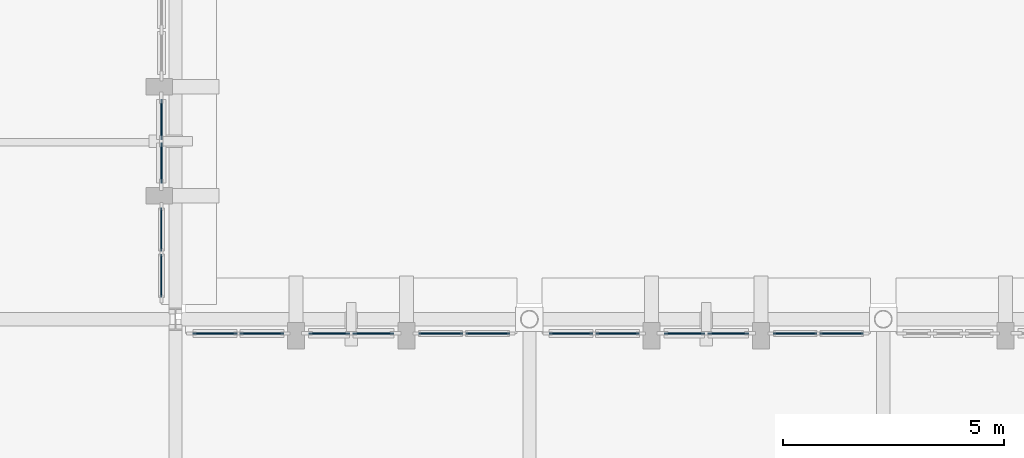
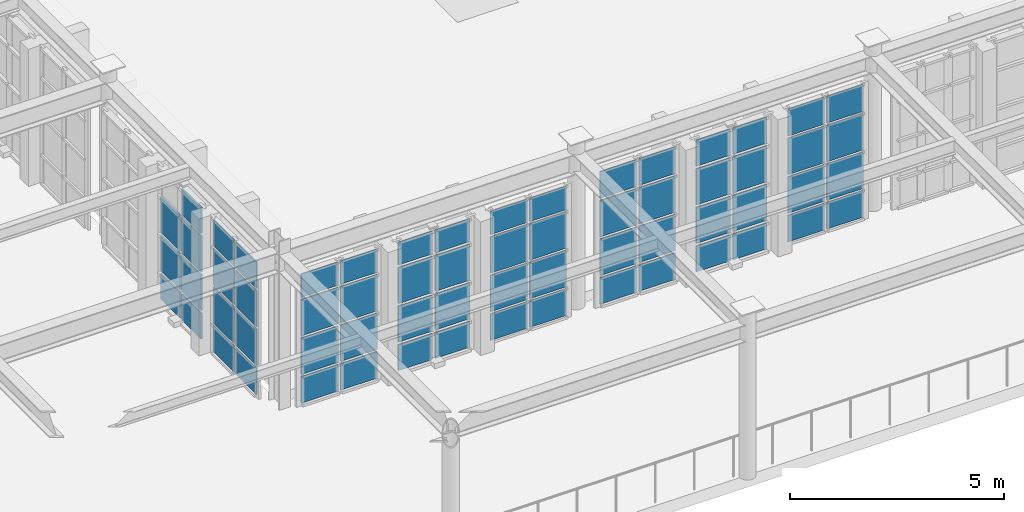
# One storey, part 116 of 155: 63 plates, 8 elements without a shape of their own.
"""IFC4 building model written with IfcOpenShell, lengths in metres."""

import ifcopenshell
import ifcopenshell.guid

model = None  # the IFC model being written
_history = None  # IfcOwnerHistory: only IFC2X3 demands one
_inside = {}  # id of a spatial element -> (the spatial element, [elements in it])
_under = {}  # id of a project, library or spatial element -> (it, [spatial elements below it])
_declared = {}  # id of a project -> (the project, [libraries it declares])
_typed = {}  # id of a type object -> (the type object, [elements of that type])
_made_of = {}  # id of a material, layer set ... -> (it, [elements and type objects made of it])


def new_model(schema):
    """Start an empty IFC model of exactly this schema.

    Asked for "IFC4X3", IfcOpenShell would pick the latest addendum, in which some entities
    have other attributes; the version numbers below select the first issue.
    IFC2X3 requires an IfcOwnerHistory on every rooted entity: one is made here for all.
    """
    global model, _history
    if schema == "IFC4X3":
        model = ifcopenshell.file(schema_version=(4, 3, 0, 0))
    else:
        model = ifcopenshell.file(schema=schema)
    _inside.clear()
    _under.clear()
    _declared.clear()
    _typed.clear()
    _made_of.clear()
    _history = None
    if model.schema == "IFC2X3":
        org = make("IfcOrganization", Name="unknown")
        user = make(
            "IfcPersonAndOrganization",
            ThePerson=make("IfcPerson", FamilyName="unknown"),
            TheOrganization=org,
        )
        app = make(
            "IfcApplication",
            ApplicationDeveloper=org,
            Version="unknown",
            ApplicationFullName="unknown",
            ApplicationIdentifier="unknown",
        )
        _history = make(
            "IfcOwnerHistory",
            OwningUser=user,
            OwningApplication=app,
            ChangeAction="ADDED",
            CreationDate=0,
        )
    return model


def make(cls, **values):
    """One entity of the class cls with the attributes given. An attribute that is None is left unset."""
    return model.create_entity(
        cls, **{name: value for name, value in values.items() if value is not None}
    )


def rooted(cls, **values):
    """An entity with a GlobalId (a new one), such as an element, a storey or a relation."""
    return make(cls, GlobalId=ifcopenshell.guid.new(), OwnerHistory=_history, **values)


def si_unit(unit_type, name, prefix=None):
    """IfcSIUnit, for example si_unit("LENGTHUNIT", "METRE", prefix="MILLI")."""
    return make("IfcSIUnit", UnitType=unit_type, Prefix=prefix, Name=name)


def assignment(units):
    """IfcUnitAssignment: the units of a project."""
    return None if units is None else make("IfcUnitAssignment", Units=units)


def point(xyz):
    """IfcCartesianPoint."""
    return None if xyz is None else make("IfcCartesianPoint", Coordinates=xyz)


def direction(xyz):
    """IfcDirection."""
    return None if xyz is None else make("IfcDirection", DirectionRatios=xyz)


def frame(location, z_axis=None, x_axis=None):
    """IfcAxis2Placement3D, a coordinate frame: its origin and axes. An axis left out is left unset."""
    return make(
        "IfcAxis2Placement3D",
        Location=point(location),
        Axis=direction(z_axis),
        RefDirection=direction(x_axis),
    )


def frame_2d(location, x_axis=None):
    """IfcAxis2Placement2D, a coordinate frame in the plane: its origin and x axis."""
    return make(
        "IfcAxis2Placement2D", Location=point(location), RefDirection=direction(x_axis)
    )


def origin():
    """The frame at (0, 0, 0) with its axes left unset."""
    return frame((0.0, 0.0, 0.0))


def origin_2d():
    """The frame at (0, 0) in the plane with its x axis left unset."""
    return frame_2d((0.0, 0.0))


def place(relative_to, where):
    """IfcLocalPlacement: puts the frame where relative to a parent placement (None: the world)."""
    return make(
        "IfcLocalPlacement", PlacementRelTo=relative_to, RelativePlacement=where
    )


def context(
    kind, dimensions, precision=None, world=None, true_north=None, identifier=None
):
    """IfcGeometricRepresentationContext, for example the 3D "Model" context."""
    return make(
        "IfcGeometricRepresentationContext",
        ContextIdentifier=identifier,
        ContextType=kind,
        CoordinateSpaceDimension=dimensions,
        Precision=precision,
        WorldCoordinateSystem=world,
        TrueNorth=true_north,
    )


def subcontext(parent, identifier, kind, view, scale=None):
    """IfcGeometricRepresentationSubContext, for example "Body" below "Model"."""
    return make(
        "IfcGeometricRepresentationSubContext",
        ContextIdentifier=identifier,
        ContextType=kind,
        ParentContext=parent,
        TargetScale=scale,
        TargetView=view,
    )


def project(units=None, contexts=None):
    """IfcProject with its units and contexts."""
    return rooted(
        "IfcProject",
        Name="project",
        RepresentationContexts=contexts,
        UnitsInContext=assignment(units),
    )


def spatial(cls, under=None, at=None, **own):
    """A site, building, storey or space (cls), placed at a placement, below another one or the project."""
    s = rooted(cls, ObjectPlacement=at, **own)
    if under is not None:
        _under.setdefault(under.id(), (under, []))[1].append(s)
    return s


def profile(cls, at=None, kind="AREA", **sizes):
    """A parametric profile (cls). Its sizes go by their IFC names, for example OverallWidth=200.0."""
    return make(cls, ProfileType=kind, Position=at, **sizes)


def rectangle(**sizes):
    """IfcRectangleProfileDef."""
    return profile("IfcRectangleProfileDef", **sizes)


def extrude(swept, where, along, depth):
    """IfcExtrudedAreaSolid: the profile swept, set in the frame where, extruded along a direction by depth."""
    return make(
        "IfcExtrudedAreaSolid",
        SweptArea=swept,
        Position=where,
        ExtrudedDirection=direction(along),
        Depth=depth,
    )


def shape(context_of_items, identifier, shape_type, items):
    """IfcShapeRepresentation: the items that make up one representation, for example the "Body"."""
    return make(
        "IfcShapeRepresentation",
        ContextOfItems=context_of_items,
        RepresentationIdentifier=identifier,
        RepresentationType=shape_type,
        Items=items,
    )


def material(Name=None, Category=None):
    """IfcMaterial."""
    return make("IfcMaterial", Name=Name, Category=Category)


def layer(
    of_material, thickness, ventilated=None, Name=None, Category=None, Priority=None
):
    """IfcMaterialLayer: one layer of a wall or slab, of a material (None: an air gap)."""
    return make(
        "IfcMaterialLayer",
        Material=of_material,
        LayerThickness=thickness,
        IsVentilated=ventilated,
        Name=Name,
        Category=Category,
        Priority=Priority,
    )


def layer_set(layers, Name=None):
    """IfcMaterialLayerSet."""
    return make("IfcMaterialLayerSet", MaterialLayers=layers, LayerSetName=Name)


def made_of(thing, what):
    """Note that an element or type object is made of a material, layer set ...; save() writes the relation."""
    if what is not None:
        _made_of.setdefault(what.id(), (what, []))[1].append(thing)
    return thing


def type_object(cls, material=None, **own):
    """A type object (cls), such as IfcWallType, which elements share."""
    return made_of(rooted(cls, **own), material)


def element(
    cls,
    number,
    at=None,
    inside=None,
    cuts=None,
    type_object=None,
    material=None,
    context=None,
    identifier="Body",
    shape_type=None,
    held_by="IfcProductDefinitionShape",
    body=None,
    shapes=None,
    **own,
):
    """One element of the class cls, such as IfcWall. Its Tag is "e" and its number.

    at: its placement. inside: the storey or other place that contains it. cuts: it is an
    opening in that element (IfcRelVoidsElement). A single representation is given by context,
    identifier, shape_type and body (its items); several are given by shapes. held_by: the class
    of the entity that holds the representations. save() writes the other relations.
    """
    e = rooted(cls, Tag="e%d" % number, ObjectPlacement=at, **own)
    if body is not None:
        shapes = [shape(context, identifier, shape_type, body)]
    if shapes is not None:
        e.Representation = make(held_by, Representations=shapes)
    if inside is not None:
        _inside.setdefault(inside.id(), (inside, []))[1].append(e)
    if cuts is not None:
        rooted(
            "IfcRelVoidsElement", RelatingBuildingElement=cuts, RelatedOpeningElement=e
        )
    if type_object is not None:
        _typed.setdefault(type_object.id(), (type_object, []))[1].append(e)
    return made_of(e, material)


def aggregate(whole, parts):
    """IfcRelAggregates: a whole, such as a stair, and the parts it consists of."""
    return rooted("IfcRelAggregates", RelatingObject=whole, RelatedObjects=parts)


def save(model, path):
    """Write the relations noted so far, then the file.

    IfcRelAggregates (storeys below a building ...), IfcRelContainedInSpatialStructure (elements
    in a storey), IfcRelDefinesByType, IfcRelAssociatesMaterial and IfcRelDeclares: one each for
    every whole, place, type object, material and project.
    """
    for whole, parts in _under.values():
        aggregate(whole, parts)
    for where, things in _inside.values():
        rooted(
            "IfcRelContainedInSpatialStructure",
            RelatedElements=things,
            RelatingStructure=where,
        )
    for kind, things in _typed.values():
        rooted("IfcRelDefinesByType", RelatedObjects=things, RelatingType=kind)
    for what, things in _made_of.values():
        rooted("IfcRelAssociatesMaterial", RelatedObjects=things, RelatingMaterial=what)
    for by, libraries in _declared.values():
        rooted("IfcRelDeclares", RelatingContext=by, RelatedDefinitions=libraries)
    model.write(path)


model = new_model("IFC4")

# Units and contexts
model_context = context("Model", 3, precision=1e-05, world=origin(), true_north=direction((0.0, 1.0)))
body_context = subcontext(model_context, "Body", "Model", "MODEL_VIEW")
ifc_project = project(units=[si_unit("LENGTHUNIT", "METRE"), si_unit("AREAUNIT", "SQUARE_METRE"), si_unit("VOLUMEUNIT", "CUBIC_METRE"), si_unit("PLANEANGLEUNIT", "RADIAN"), si_unit("MASSUNIT", "GRAM", prefix="KILO")], contexts=[model_context])

# Site, building, storey
site_placement = place(None, origin())
site = spatial("IfcSite", under=ifc_project, at=site_placement, CompositionType="ELEMENT")
building_placement = place(site_placement, origin())
building = spatial("IfcBuilding", under=site, at=building_placement, Name="Tazarka Park Arena", CompositionType="ELEMENT")
storey_placement = place(building_placement, frame((0.0, 0.0, 5.39990234375)))
storey = spatial("IfcBuildingStorey", under=building, at=storey_placement, Name="L01", CompositionType="ELEMENT", Elevation=5.39990234375)

# Curtain wall, plates
ifc_material_1 = material(Name="Aluminium and low-e glass", Category="aluminium")
ifc_layer_1 = layer(ifc_material_1, 0.179931640625, Name="Aluminium and low-e glass")
ifc_layer_set_1 = layer_set([ifc_layer_1], Name="Aluminium and low-e glass")
curtain_wall_type_1 = type_object("IfcCurtainWallType", Name="CW-15", PredefinedType="NOTDEFINED", material=ifc_layer_set_1)
curtain_wall_1_placement = place(storey_placement, origin())
curtain_wall_1 = element("IfcCurtainWall", 1, at=curtain_wall_1_placement, inside=storey, type_object=curtain_wall_type_1, Name="Curtain Wall CWA-L01-195", PredefinedType="NOTDEFINED")
ifc_material_2 = material(Name="Double low-e insulated glazing", Category="glass")
ifc_layer_2 = layer(ifc_material_2, 0.028076171875, Name="Double low-e insulated glazing")
ifc_layer_set_2 = layer_set([ifc_layer_2], Name="Double low-e insulated glazing")
plate_type_1 = type_object("IfcPlateType", Name="CWP-01", PredefinedType="CURTAIN_PANEL", material=ifc_layer_set_2)
plate_1_placement = place(storey_placement, frame((174.007080078125, 103.679931640625, 0.065185546875), z_axis=(0.0, 0.0, 1.0), x_axis=(1.0, 0.0, 0.0)))
plate_1 = element("IfcPlate", 2, at=plate_1_placement, type_object=plate_type_1, Name="CW-15 panel 1.1", PredefinedType="CURTAIN_PANEL", context=body_context, shape_type="SweptSolid", body=[
    extrude(rectangle(XDim=0.986328125, YDim=0.028076171875, at=origin_2d()), origin(), (0.0, 0.0, 1.0), 0.75244140625),
])
plate_2_placement = place(storey_placement, frame((174.007080078125, 103.679931640625, 0.8828125), z_axis=(0.0, 0.0, 1.0), x_axis=(1.0, 0.0, 0.0)))
plate_2 = element("IfcPlate", 3, at=plate_2_placement, type_object=plate_type_1, Name="CW-15 panel 1.2", PredefinedType="CURTAIN_PANEL", context=body_context, shape_type="SweptSolid", body=[
    extrude(rectangle(XDim=0.986328125, YDim=0.028076171875, at=origin_2d()), origin(), (0.0, 0.0, 1.0), 1.034912109375),
])
plate_3_placement = place(storey_placement, frame((174.007080078125, 103.679931640625, 1.982421875), z_axis=(0.0, 0.0, 1.0), x_axis=(1.0, 0.0, 0.0)))
plate_3 = element("IfcPlate", 4, at=plate_3_placement, type_object=plate_type_1, Name="CW-15 panel 1.3", PredefinedType="CURTAIN_PANEL", context=body_context, shape_type="SweptSolid", body=[
    extrude(rectangle(XDim=0.986328125, YDim=0.028076171875, at=origin_2d()), origin(), (0.0, 0.0, 1.0), 1.034912109375),
])
plate_4_placement = place(storey_placement, frame((174.007080078125, 103.679931640625, 3.08251953125), z_axis=(0.0, 0.0, 1.0), x_axis=(1.0, 0.0, 0.0)))
plate_4 = element("IfcPlate", 5, at=plate_4_placement, type_object=plate_type_1, Name="CW-15 panel 1.4", PredefinedType="CURTAIN_PANEL", context=body_context, shape_type="SweptSolid", body=[
    extrude(rectangle(XDim=0.986328125, YDim=0.028076171875, at=origin_2d()), origin(), (0.0, 0.0, 1.0), 0.762451171875),
])
plate_5_placement = place(storey_placement, frame((175.05859375, 103.679931640625, 0.065185546875), z_axis=(0.0, 0.0, 1.0), x_axis=(1.0, 0.0, 0.0)))
plate_5 = element("IfcPlate", 6, at=plate_5_placement, type_object=plate_type_1, Name="CW-15 panel 2.1", PredefinedType="CURTAIN_PANEL", context=body_context, shape_type="SweptSolid", body=[
    extrude(rectangle(XDim=0.986328125, YDim=0.028076171875, at=origin_2d()), origin(), (0.0, 0.0, 1.0), 0.75244140625),
])
plate_6_placement = place(storey_placement, frame((175.05859375, 103.679931640625, 0.8828125), z_axis=(0.0, 0.0, 1.0), x_axis=(1.0, 0.0, 0.0)))
plate_6 = element("IfcPlate", 7, at=plate_6_placement, type_object=plate_type_1, Name="CW-15 panel 2.2", PredefinedType="CURTAIN_PANEL", context=body_context, shape_type="SweptSolid", body=[
    extrude(rectangle(XDim=0.986328125, YDim=0.028076171875, at=origin_2d()), origin(), (0.0, 0.0, 1.0), 1.034912109375),
])
plate_7_placement = place(storey_placement, frame((175.05859375, 103.679931640625, 1.982421875), z_axis=(0.0, 0.0, 1.0), x_axis=(1.0, 0.0, 0.0)))
plate_7 = element("IfcPlate", 8, at=plate_7_placement, type_object=plate_type_1, Name="CW-15 panel 2.3", PredefinedType="CURTAIN_PANEL", context=body_context, shape_type="SweptSolid", body=[
    extrude(rectangle(XDim=0.986328125, YDim=0.028076171875, at=origin_2d()), origin(), (0.0, 0.0, 1.0), 1.034912109375),
])
plate_8_placement = place(storey_placement, frame((175.05859375, 103.679931640625, 3.08251953125), z_axis=(0.0, 0.0, 1.0), x_axis=(1.0, 0.0, 0.0)))
plate_8 = element("IfcPlate", 9, at=plate_8_placement, type_object=plate_type_1, Name="CW-15 panel 2.4", PredefinedType="CURTAIN_PANEL", context=body_context, shape_type="SweptSolid", body=[
    extrude(rectangle(XDim=0.986328125, YDim=0.028076171875, at=origin_2d()), origin(), (0.0, 0.0, 1.0), 0.762451171875),
])
aggregate(curtain_wall_1, [plate_1, plate_2, plate_3, plate_4, plate_5, plate_6, plate_7, plate_8])

ifc_material_3 = material(Name="Aluminium and low-e glass", Category="aluminium")
ifc_layer_3 = layer(ifc_material_3, 0.179931640625, Name="Aluminium and low-e glass")
ifc_layer_set_3 = layer_set([ifc_layer_3], Name="Aluminium and low-e glass")
curtain_wall_type_2 = type_object("IfcCurtainWallType", Name="CW-18", PredefinedType="NOTDEFINED", material=ifc_layer_set_3)
curtain_wall_2_placement = place(storey_placement, origin())
curtain_wall_2 = element("IfcCurtainWall", 10, at=curtain_wall_2_placement, inside=storey, type_object=curtain_wall_type_2, Name="Curtain Wall CWA-L01-198", PredefinedType="NOTDEFINED")
plate_9_placement = place(storey_placement, frame((165.993896484375, 103.679931640625, 0.065185546875), z_axis=(0.0, 0.0, 1.0), x_axis=(1.0, 0.0, 0.0)))
plate_9 = element("IfcPlate", 11, at=plate_9_placement, type_object=plate_type_1, Name="CW-18 panel 1.1", PredefinedType="CURTAIN_PANEL", context=body_context, shape_type="SweptSolid", body=[
    extrude(rectangle(XDim=0.995361328125, YDim=0.028076171875, at=origin_2d()), origin(), (0.0, 0.0, 1.0), 0.75244140625),
])
plate_10_placement = place(storey_placement, frame((165.993896484375, 103.679931640625, 0.8828125), z_axis=(0.0, 0.0, 1.0), x_axis=(1.0, 0.0, 0.0)))
plate_10 = element("IfcPlate", 12, at=plate_10_placement, type_object=plate_type_1, Name="CW-18 panel 1.2", PredefinedType="CURTAIN_PANEL", context=body_context, shape_type="SweptSolid", body=[
    extrude(rectangle(XDim=0.995361328125, YDim=0.028076171875, at=origin_2d()), origin(), (0.0, 0.0, 1.0), 1.034912109375),
])
plate_11_placement = place(storey_placement, frame((165.993896484375, 103.679931640625, 1.982421875), z_axis=(0.0, 0.0, 1.0), x_axis=(1.0, 0.0, 0.0)))
plate_11 = element("IfcPlate", 13, at=plate_11_placement, type_object=plate_type_1, Name="CW-18 panel 1.3", PredefinedType="CURTAIN_PANEL", context=body_context, shape_type="SweptSolid", body=[
    extrude(rectangle(XDim=0.995361328125, YDim=0.028076171875, at=origin_2d()), origin(), (0.0, 0.0, 1.0), 1.034912109375),
])
plate_12_placement = place(storey_placement, frame((165.993896484375, 103.679931640625, 3.08251953125), z_axis=(0.0, 0.0, 1.0), x_axis=(1.0, 0.0, 0.0)))
plate_12 = element("IfcPlate", 14, at=plate_12_placement, type_object=plate_type_1, Name="CW-18 panel 1.4", PredefinedType="CURTAIN_PANEL", context=body_context, shape_type="SweptSolid", body=[
    extrude(rectangle(XDim=0.995361328125, YDim=0.028076171875, at=origin_2d()), origin(), (0.0, 0.0, 1.0), 0.66259765625),
])
plate_13_placement = place(storey_placement, frame((167.05419921875, 103.679931640625, 0.065185546875), z_axis=(0.0, 0.0, 1.0), x_axis=(1.0, 0.0, 0.0)))
plate_13 = element("IfcPlate", 15, at=plate_13_placement, type_object=plate_type_1, Name="CW-18 panel 2.1", PredefinedType="CURTAIN_PANEL", context=body_context, shape_type="SweptSolid", body=[
    extrude(rectangle(XDim=0.995361328125, YDim=0.028076171875, at=origin_2d()), origin(), (0.0, 0.0, 1.0), 0.75244140625),
])
plate_14_placement = place(storey_placement, frame((167.05419921875, 103.679931640625, 0.8828125), z_axis=(0.0, 0.0, 1.0), x_axis=(1.0, 0.0, 0.0)))
plate_14 = element("IfcPlate", 16, at=plate_14_placement, type_object=plate_type_1, Name="CW-18 panel 2.2", PredefinedType="CURTAIN_PANEL", context=body_context, shape_type="SweptSolid", body=[
    extrude(rectangle(XDim=0.995361328125, YDim=0.028076171875, at=origin_2d()), origin(), (0.0, 0.0, 1.0), 1.034912109375),
])
plate_15_placement = place(storey_placement, frame((167.05419921875, 103.679931640625, 1.982421875), z_axis=(0.0, 0.0, 1.0), x_axis=(1.0, 0.0, 0.0)))
plate_15 = element("IfcPlate", 17, at=plate_15_placement, type_object=plate_type_1, Name="CW-18 panel 2.3", PredefinedType="CURTAIN_PANEL", context=body_context, shape_type="SweptSolid", body=[
    extrude(rectangle(XDim=0.995361328125, YDim=0.028076171875, at=origin_2d()), origin(), (0.0, 0.0, 1.0), 1.034912109375),
])
plate_16_placement = place(storey_placement, frame((167.05419921875, 103.679931640625, 3.08251953125), z_axis=(0.0, 0.0, 1.0), x_axis=(1.0, 0.0, 0.0)))
plate_16 = element("IfcPlate", 18, at=plate_16_placement, type_object=plate_type_1, Name="CW-18 panel 2.4", PredefinedType="CURTAIN_PANEL", context=body_context, shape_type="SweptSolid", body=[
    extrude(rectangle(XDim=0.995361328125, YDim=0.028076171875, at=origin_2d()), origin(), (0.0, 0.0, 1.0), 0.66259765625),
])
aggregate(curtain_wall_2, [plate_9, plate_10, plate_11, plate_12, plate_13, plate_14, plate_15, plate_16])

ifc_material_4 = material(Name="Aluminium and low-e glass", Category="aluminium")
ifc_layer_4 = layer(ifc_material_4, 0.179931640625, Name="Aluminium and low-e glass")
ifc_layer_set_4 = layer_set([ifc_layer_4], Name="Aluminium and low-e glass")
curtain_wall_type_3 = type_object("IfcCurtainWallType", Name="CW-21", PredefinedType="NOTDEFINED", material=ifc_layer_set_4)
curtain_wall_3_placement = place(storey_placement, origin())
curtain_wall_3 = element("IfcCurtainWall", 19, at=curtain_wall_3_placement, inside=storey, type_object=curtain_wall_type_3, Name="Curtain Wall CWA-L01-201", PredefinedType="NOTDEFINED")
plate_17_placement = place(storey_placement, frame((159.679931640625, 106.028076171875, 0.065185546875), z_axis=(0.0, 0.0, 1.0), x_axis=(0.0, -1.0, 0.0)))
plate_17 = element("IfcPlate", 20, at=plate_17_placement, type_object=plate_type_1, Name="CW-21 panel 1.1", PredefinedType="CURTAIN_PANEL", context=body_context, shape_type="SweptSolid", body=[
    extrude(rectangle(XDim=0.978759765625, YDim=0.028076171875, at=origin_2d()), origin(), (0.0, 0.0, 1.0), 0.75244140625),
])
plate_18_placement = place(storey_placement, frame((159.679931640625, 106.028076171875, 0.8828125), z_axis=(0.0, 0.0, 1.0), x_axis=(0.0, -1.0, 0.0)))
plate_18 = element("IfcPlate", 21, at=plate_18_placement, type_object=plate_type_1, Name="CW-21 panel 1.2", PredefinedType="CURTAIN_PANEL", context=body_context, shape_type="SweptSolid", body=[
    extrude(rectangle(XDim=0.978759765625, YDim=0.028076171875, at=origin_2d()), origin(), (0.0, 0.0, 1.0), 1.034912109375),
])
plate_19_placement = place(storey_placement, frame((159.679931640625, 106.028076171875, 1.982421875), z_axis=(0.0, 0.0, 1.0), x_axis=(0.0, -1.0, 0.0)))
plate_19 = element("IfcPlate", 22, at=plate_19_placement, type_object=plate_type_1, Name="CW-21 panel 1.3", PredefinedType="CURTAIN_PANEL", context=body_context, shape_type="SweptSolid", body=[
    extrude(rectangle(XDim=0.978759765625, YDim=0.028076171875, at=origin_2d()), origin(), (0.0, 0.0, 1.0), 1.034912109375),
])
plate_20_placement = place(storey_placement, frame((159.679931640625, 106.028076171875, 3.08251953125), z_axis=(0.0, 0.0, 1.0), x_axis=(0.0, -1.0, 0.0)))
plate_20 = element("IfcPlate", 23, at=plate_20_placement, type_object=plate_type_1, Name="CW-21 panel 1.4", PredefinedType="CURTAIN_PANEL", context=body_context, shape_type="SweptSolid", body=[
    extrude(rectangle(XDim=0.978759765625, YDim=0.028076171875, at=origin_2d()), origin(), (0.0, 0.0, 1.0), 0.75244140625),
])
plate_21_placement = place(storey_placement, frame((159.679931640625, 104.984375, 0.065185546875), z_axis=(0.0, 0.0, 1.0), x_axis=(0.0, -1.0, 0.0)))
plate_21 = element("IfcPlate", 24, at=plate_21_placement, type_object=plate_type_1, Name="CW-21 panel 2.1", PredefinedType="CURTAIN_PANEL", context=body_context, shape_type="SweptSolid", body=[
    extrude(rectangle(XDim=0.978759765625, YDim=0.028076171875, at=origin_2d()), origin(), (0.0, 0.0, 1.0), 0.75244140625),
])
plate_22_placement = place(storey_placement, frame((159.679931640625, 104.984375, 0.8828125), z_axis=(0.0, 0.0, 1.0), x_axis=(0.0, -1.0, 0.0)))
plate_22 = element("IfcPlate", 25, at=plate_22_placement, type_object=plate_type_1, Name="CW-21 panel 2.2", PredefinedType="CURTAIN_PANEL", context=body_context, shape_type="SweptSolid", body=[
    extrude(rectangle(XDim=0.978759765625, YDim=0.028076171875, at=origin_2d()), origin(), (0.0, 0.0, 1.0), 1.034912109375),
])
plate_23_placement = place(storey_placement, frame((159.679931640625, 104.984375, 1.982421875), z_axis=(0.0, 0.0, 1.0), x_axis=(0.0, -1.0, 0.0)))
plate_23 = element("IfcPlate", 26, at=plate_23_placement, type_object=plate_type_1, Name="CW-21 panel 2.3", PredefinedType="CURTAIN_PANEL", context=body_context, shape_type="SweptSolid", body=[
    extrude(rectangle(XDim=0.978759765625, YDim=0.028076171875, at=origin_2d()), origin(), (0.0, 0.0, 1.0), 1.034912109375),
])
plate_24_placement = place(storey_placement, frame((159.679931640625, 104.984375, 3.08251953125), z_axis=(0.0, 0.0, 1.0), x_axis=(0.0, -1.0, 0.0)))
plate_24 = element("IfcPlate", 27, at=plate_24_placement, type_object=plate_type_1, Name="CW-21 panel 2.4", PredefinedType="CURTAIN_PANEL", context=body_context, shape_type="SweptSolid", body=[
    extrude(rectangle(XDim=0.978759765625, YDim=0.028076171875, at=origin_2d()), origin(), (0.0, 0.0, 1.0), 0.75244140625),
])
aggregate(curtain_wall_3, [plate_17, plate_18, plate_19, plate_20, plate_21, plate_22, plate_23, plate_24])

ifc_material_5 = material(Name="Aluminium and low-e glass", Category="aluminium")
ifc_layer_5 = layer(ifc_material_5, 0.179931640625, Name="Aluminium and low-e glass")
ifc_layer_set_5 = layer_set([ifc_layer_5], Name="Aluminium and low-e glass")
curtain_wall_type_4 = type_object("IfcCurtainWallType", Name="CW-13", PredefinedType="NOTDEFINED", material=ifc_layer_set_5)
curtain_wall_4_placement = place(storey_placement, origin())
curtain_wall_4 = element("IfcCurtainWall", 28, at=curtain_wall_4_placement, inside=storey, type_object=curtain_wall_type_4, Name="Curtain Wall CWA-L01-193", PredefinedType="NOTDEFINED")
ifc_material_6 = material(Name="Triple acoustic solar glazing", Category="glass")
ifc_layer_6 = layer(ifc_material_6, 0.031982421875, Name="Triple acoustic solar glazing")
ifc_layer_set_6 = layer_set([ifc_layer_6], Name="Triple acoustic solar glazing")
plate_type_2 = type_object("IfcPlateType", Name="CWP-02", PredefinedType="CURTAIN_PANEL", material=ifc_layer_set_6)
plate_25_placement = place(storey_placement, frame((168.94140625, 103.679931640625, 0.065185546875), z_axis=(0.0, 0.0, 1.0), x_axis=(1.0, 0.0, 0.0)))
plate_25 = element("IfcPlate", 29, at=plate_25_placement, type_object=plate_type_2, Name="CW-13 panel 1.1", PredefinedType="CURTAIN_PANEL", context=body_context, shape_type="SweptSolid", body=[
    extrude(rectangle(XDim=0.986328125, YDim=0.031982421875, at=origin_2d()), origin(), (0.0, 0.0, 1.0), 0.75244140625),
])
plate_26_placement = place(storey_placement, frame((168.94140625, 103.679931640625, 0.8828125), z_axis=(0.0, 0.0, 1.0), x_axis=(1.0, 0.0, 0.0)))
plate_26 = element("IfcPlate", 30, at=plate_26_placement, type_object=plate_type_2, Name="CW-13 panel 1.2", PredefinedType="CURTAIN_PANEL", context=body_context, shape_type="SweptSolid", body=[
    extrude(rectangle(XDim=0.986328125, YDim=0.031982421875, at=origin_2d()), origin(), (0.0, 0.0, 1.0), 1.034912109375),
])
plate_27_placement = place(storey_placement, frame((168.94140625, 103.679931640625, 1.982421875), z_axis=(0.0, 0.0, 1.0), x_axis=(1.0, 0.0, 0.0)))
plate_27 = element("IfcPlate", 31, at=plate_27_placement, type_object=plate_type_2, Name="CW-13 panel 1.3", PredefinedType="CURTAIN_PANEL", context=body_context, shape_type="SweptSolid", body=[
    extrude(rectangle(XDim=0.986328125, YDim=0.031982421875, at=origin_2d()), origin(), (0.0, 0.0, 1.0), 1.034912109375),
])
plate_28_placement = place(storey_placement, frame((168.94140625, 103.679931640625, 3.08251953125), z_axis=(0.0, 0.0, 1.0), x_axis=(1.0, 0.0, 0.0)))
plate_28 = element("IfcPlate", 32, at=plate_28_placement, type_object=plate_type_2, Name="CW-13 panel 1.4", PredefinedType="CURTAIN_PANEL", context=body_context, shape_type="SweptSolid", body=[
    extrude(rectangle(XDim=0.986328125, YDim=0.031982421875, at=origin_2d()), origin(), (0.0, 0.0, 1.0), 0.762451171875),
])
plate_29_placement = place(storey_placement, frame((169.992919921875, 103.679931640625, 0.065185546875), z_axis=(0.0, 0.0, 1.0), x_axis=(1.0, 0.0, 0.0)))
plate_29 = element("IfcPlate", 33, at=plate_29_placement, type_object=plate_type_2, Name="CW-13 panel 2.1", PredefinedType="CURTAIN_PANEL", context=body_context, shape_type="SweptSolid", body=[
    extrude(rectangle(XDim=0.986328125, YDim=0.031982421875, at=origin_2d()), origin(), (0.0, 0.0, 1.0), 0.75244140625),
])
plate_30_placement = place(storey_placement, frame((169.992919921875, 103.679931640625, 0.8828125), z_axis=(0.0, 0.0, 1.0), x_axis=(1.0, 0.0, 0.0)))
plate_30 = element("IfcPlate", 34, at=plate_30_placement, type_object=plate_type_2, Name="CW-13 panel 2.2", PredefinedType="CURTAIN_PANEL", context=body_context, shape_type="SweptSolid", body=[
    extrude(rectangle(XDim=0.986328125, YDim=0.031982421875, at=origin_2d()), origin(), (0.0, 0.0, 1.0), 1.034912109375),
])
plate_31_placement = place(storey_placement, frame((169.992919921875, 103.679931640625, 1.982421875), z_axis=(0.0, 0.0, 1.0), x_axis=(1.0, 0.0, 0.0)))
plate_31 = element("IfcPlate", 35, at=plate_31_placement, type_object=plate_type_2, Name="CW-13 panel 2.3", PredefinedType="CURTAIN_PANEL", context=body_context, shape_type="SweptSolid", body=[
    extrude(rectangle(XDim=0.986328125, YDim=0.031982421875, at=origin_2d()), origin(), (0.0, 0.0, 1.0), 1.034912109375),
])
plate_32_placement = place(storey_placement, frame((169.992919921875, 103.679931640625, 3.08251953125), z_axis=(0.0, 0.0, 1.0), x_axis=(1.0, 0.0, 0.0)))
plate_32 = element("IfcPlate", 36, at=plate_32_placement, type_object=plate_type_2, Name="CW-13 panel 2.4", PredefinedType="CURTAIN_PANEL", context=body_context, shape_type="SweptSolid", body=[
    extrude(rectangle(XDim=0.986328125, YDim=0.031982421875, at=origin_2d()), origin(), (0.0, 0.0, 1.0), 0.762451171875),
])
aggregate(curtain_wall_4, [plate_25, plate_26, plate_27, plate_28, plate_29, plate_30, plate_31, plate_32])

ifc_material_7 = material(Name="Aluminium and low-e glass", Category="aluminium")
ifc_layer_7 = layer(ifc_material_7, 0.179931640625, Name="Aluminium and low-e glass")
ifc_layer_set_7 = layer_set([ifc_layer_7], Name="Aluminium and low-e glass")
curtain_wall_type_5 = type_object("IfcCurtainWallType", Name="CW-16", PredefinedType="NOTDEFINED", material=ifc_layer_set_7)
curtain_wall_5_placement = place(storey_placement, origin())
curtain_wall_5 = element("IfcCurtainWall", 37, at=curtain_wall_5_placement, inside=storey, type_object=curtain_wall_type_5, Name="Curtain Wall CWA-L01-196", PredefinedType="NOTDEFINED")
plate_33_placement = place(storey_placement, frame((160.892578125, 103.679931640625, 0.065185546875), z_axis=(0.0, 0.0, 1.0), x_axis=(1.0, 0.0, 0.0)))
plate_33 = element("IfcPlate", 38, at=plate_33_placement, type_object=plate_type_2, Name="CW-16 panel 1.1", PredefinedType="CURTAIN_PANEL", context=body_context, shape_type="SweptSolid", body=[
    extrude(rectangle(XDim=0.995361328125, YDim=0.031982421875, at=origin_2d()), origin(), (0.0, 0.0, 1.0), 0.75244140625),
])
plate_34_placement = place(storey_placement, frame((160.892578125, 103.679931640625, 0.8828125), z_axis=(0.0, 0.0, 1.0), x_axis=(1.0, 0.0, 0.0)))
plate_34 = element("IfcPlate", 39, at=plate_34_placement, type_object=plate_type_2, Name="CW-16 panel 1.2", PredefinedType="CURTAIN_PANEL", context=body_context, shape_type="SweptSolid", body=[
    extrude(rectangle(XDim=0.995361328125, YDim=0.031982421875, at=origin_2d()), origin(), (0.0, 0.0, 1.0), 1.034912109375),
])
plate_35_placement = place(storey_placement, frame((160.892578125, 103.679931640625, 1.982421875), z_axis=(0.0, 0.0, 1.0), x_axis=(1.0, 0.0, 0.0)))
plate_35 = element("IfcPlate", 40, at=plate_35_placement, type_object=plate_type_2, Name="CW-16 panel 1.3", PredefinedType="CURTAIN_PANEL", context=body_context, shape_type="SweptSolid", body=[
    extrude(rectangle(XDim=0.995361328125, YDim=0.031982421875, at=origin_2d()), origin(), (0.0, 0.0, 1.0), 1.034912109375),
])
plate_36_placement = place(storey_placement, frame((160.892578125, 103.679931640625, 3.08251953125), z_axis=(0.0, 0.0, 1.0), x_axis=(1.0, 0.0, 0.0)))
plate_36 = element("IfcPlate", 41, at=plate_36_placement, type_object=plate_type_2, Name="CW-16 panel 1.4", PredefinedType="CURTAIN_PANEL", context=body_context, shape_type="SweptSolid", body=[
    extrude(rectangle(XDim=0.995361328125, YDim=0.031982421875, at=origin_2d()), origin(), (0.0, 0.0, 1.0), 0.66259765625),
])
plate_37_placement = place(storey_placement, frame((161.952880859375, 103.679931640625, 0.065185546875), z_axis=(0.0, 0.0, 1.0), x_axis=(1.0, 0.0, 0.0)))
plate_37 = element("IfcPlate", 42, at=plate_37_placement, type_object=plate_type_2, Name="CW-16 panel 2.1", PredefinedType="CURTAIN_PANEL", context=body_context, shape_type="SweptSolid", body=[
    extrude(rectangle(XDim=0.995361328125, YDim=0.031982421875, at=origin_2d()), origin(), (0.0, 0.0, 1.0), 0.75244140625),
])
plate_38_placement = place(storey_placement, frame((161.952880859375, 103.679931640625, 0.8828125), z_axis=(0.0, 0.0, 1.0), x_axis=(1.0, 0.0, 0.0)))
plate_38 = element("IfcPlate", 43, at=plate_38_placement, type_object=plate_type_2, Name="CW-16 panel 2.2", PredefinedType="CURTAIN_PANEL", context=body_context, shape_type="SweptSolid", body=[
    extrude(rectangle(XDim=0.995361328125, YDim=0.031982421875, at=origin_2d()), origin(), (0.0, 0.0, 1.0), 1.034912109375),
])
plate_39_placement = place(storey_placement, frame((161.952880859375, 103.679931640625, 1.982421875), z_axis=(0.0, 0.0, 1.0), x_axis=(1.0, 0.0, 0.0)))
plate_39 = element("IfcPlate", 44, at=plate_39_placement, type_object=plate_type_2, Name="CW-16 panel 2.3", PredefinedType="CURTAIN_PANEL", context=body_context, shape_type="SweptSolid", body=[
    extrude(rectangle(XDim=0.995361328125, YDim=0.031982421875, at=origin_2d()), origin(), (0.0, 0.0, 1.0), 1.034912109375),
])
plate_40_placement = place(storey_placement, frame((161.952880859375, 103.679931640625, 3.08251953125), z_axis=(0.0, 0.0, 1.0), x_axis=(1.0, 0.0, 0.0)))
plate_40 = element("IfcPlate", 45, at=plate_40_placement, type_object=plate_type_2, Name="CW-16 panel 2.4", PredefinedType="CURTAIN_PANEL", context=body_context, shape_type="SweptSolid", body=[
    extrude(rectangle(XDim=0.995361328125, YDim=0.031982421875, at=origin_2d()), origin(), (0.0, 0.0, 1.0), 0.66259765625),
])
aggregate(curtain_wall_5, [plate_33, plate_34, plate_35, plate_36, plate_37, plate_38, plate_39, plate_40])

ifc_material_8 = material(Name="Aluminium and low-e glass", Category="aluminium")
ifc_layer_8 = layer(ifc_material_8, 0.179931640625, Name="Aluminium and low-e glass")
ifc_layer_set_8 = layer_set([ifc_layer_8], Name="Aluminium and low-e glass")
curtain_wall_type_6 = type_object("IfcCurtainWallType", Name="CW-14", PredefinedType="NOTDEFINED", material=ifc_layer_set_8)
curtain_wall_6_placement = place(storey_placement, origin())
curtain_wall_6 = element("IfcCurtainWall", 46, at=curtain_wall_6_placement, inside=storey, type_object=curtain_wall_type_6, Name="Curtain Wall CWA-L01-194", PredefinedType="NOTDEFINED")
ifc_material_9 = material(Name="Insulated aluminium spandrel panel", Category="aluminium")
ifc_layer_9 = layer(ifc_material_9, 0.035888671875, Name="Insulated aluminium spandrel panel")
ifc_layer_set_9 = layer_set([ifc_layer_9], Name="Insulated aluminium spandrel panel")
plate_type_3 = type_object("IfcPlateType", Name="CWP-03", PredefinedType="CURTAIN_PANEL", material=ifc_layer_set_9)
plate_41_placement = place(storey_placement, frame((171.50439453125, 103.679931640625, 0.0751953125), z_axis=(0.0, 0.0, 1.0), x_axis=(1.0, 0.0, 0.0)))
plate_41 = element("IfcPlate", 47, at=plate_41_placement, type_object=plate_type_3, Name="CW-14 panel 1.1", PredefinedType="CURTAIN_PANEL", context=body_context, shape_type="SweptSolid", body=[
    extrude(rectangle(XDim=0.91650390625, YDim=0.035888671875, at=origin_2d()), origin(), (0.0, 0.0, 1.0), 0.737548828125),
])
plate_42_placement = place(storey_placement, frame((171.50439453125, 103.679931640625, 0.8876953125), z_axis=(0.0, 0.0, 1.0), x_axis=(1.0, 0.0, 0.0)))
plate_42 = element("IfcPlate", 48, at=plate_42_placement, type_object=plate_type_3, Name="CW-14 panel 1.2", PredefinedType="CURTAIN_PANEL", context=body_context, shape_type="SweptSolid", body=[
    extrude(rectangle(XDim=0.91650390625, YDim=0.035888671875, at=origin_2d()), origin(), (0.0, 0.0, 1.0), 1.02490234375),
])
plate_43_placement = place(storey_placement, frame((171.50439453125, 103.679931640625, 1.987548828125), z_axis=(0.0, 0.0, 1.0), x_axis=(1.0, 0.0, 0.0)))
plate_43 = element("IfcPlate", 49, at=plate_43_placement, type_object=plate_type_3, Name="CW-14 panel 1.3", PredefinedType="CURTAIN_PANEL", context=body_context, shape_type="SweptSolid", body=[
    extrude(rectangle(XDim=0.91650390625, YDim=0.035888671875, at=origin_2d()), origin(), (0.0, 0.0, 1.0), 1.02490234375),
])
plate_44_placement = place(storey_placement, frame((171.50439453125, 103.679931640625, 3.087646484375), z_axis=(0.0, 0.0, 1.0), x_axis=(1.0, 0.0, 0.0)))
plate_44 = element("IfcPlate", 50, at=plate_44_placement, type_object=plate_type_3, Name="CW-14 panel 1.4", PredefinedType="CURTAIN_PANEL", context=body_context, shape_type="SweptSolid", body=[
    extrude(rectangle(XDim=0.91650390625, YDim=0.035888671875, at=origin_2d()), origin(), (0.0, 0.0, 1.0), 0.74755859375),
])
plate_45_placement = place(storey_placement, frame((172.49560546875, 103.679931640625, 0.0751953125), z_axis=(0.0, 0.0, 1.0), x_axis=(1.0, 0.0, 0.0)))
plate_45 = element("IfcPlate", 51, at=plate_45_placement, type_object=plate_type_3, Name="CW-14 panel 2.1", PredefinedType="CURTAIN_PANEL", context=body_context, shape_type="SweptSolid", body=[
    extrude(rectangle(XDim=0.91650390625, YDim=0.035888671875, at=origin_2d()), origin(), (0.0, 0.0, 1.0), 0.737548828125),
])
plate_46_placement = place(storey_placement, frame((172.49560546875, 103.679931640625, 0.8876953125), z_axis=(0.0, 0.0, 1.0), x_axis=(1.0, 0.0, 0.0)))
plate_46 = element("IfcPlate", 52, at=plate_46_placement, type_object=plate_type_3, Name="CW-14 panel 2.2", PredefinedType="CURTAIN_PANEL", context=body_context, shape_type="SweptSolid", body=[
    extrude(rectangle(XDim=0.91650390625, YDim=0.035888671875, at=origin_2d()), origin(), (0.0, 0.0, 1.0), 1.02490234375),
])
plate_47_placement = place(storey_placement, frame((172.49560546875, 103.679931640625, 1.987548828125), z_axis=(0.0, 0.0, 1.0), x_axis=(1.0, 0.0, 0.0)))
plate_47 = element("IfcPlate", 53, at=plate_47_placement, type_object=plate_type_3, Name="CW-14 panel 2.3", PredefinedType="CURTAIN_PANEL", context=body_context, shape_type="SweptSolid", body=[
    extrude(rectangle(XDim=0.91650390625, YDim=0.035888671875, at=origin_2d()), origin(), (0.0, 0.0, 1.0), 1.02490234375),
])
plate_48_placement = place(storey_placement, frame((172.49560546875, 103.679931640625, 3.087646484375), z_axis=(0.0, 0.0, 1.0), x_axis=(1.0, 0.0, 0.0)))
plate_48 = element("IfcPlate", 54, at=plate_48_placement, type_object=plate_type_3, Name="CW-14 panel 2.4", PredefinedType="CURTAIN_PANEL", context=body_context, shape_type="SweptSolid", body=[
    extrude(rectangle(XDim=0.91650390625, YDim=0.035888671875, at=origin_2d()), origin(), (0.0, 0.0, 1.0), 0.74755859375),
])
aggregate(curtain_wall_6, [plate_41, plate_42, plate_43, plate_44, plate_45, plate_46, plate_47, plate_48])

ifc_material_10 = material(Name="Aluminium and low-e glass", Category="aluminium")
ifc_layer_10 = layer(ifc_material_10, 0.179931640625, Name="Aluminium and low-e glass")
ifc_layer_set_10 = layer_set([ifc_layer_10], Name="Aluminium and low-e glass")
curtain_wall_type_7 = type_object("IfcCurtainWallType", Name="CW-17", PredefinedType="NOTDEFINED", material=ifc_layer_set_10)
curtain_wall_7_placement = place(storey_placement, origin())
curtain_wall_7 = element("IfcCurtainWall", 55, at=curtain_wall_7_placement, inside=storey, type_object=curtain_wall_type_7, Name="Curtain Wall CWA-L01-197", PredefinedType="NOTDEFINED")
plate_49_placement = place(storey_placement, frame((163.47314453125, 103.679931640625, 0.0751953125), z_axis=(0.0, 0.0, 1.0), x_axis=(1.0, 0.0, 0.0)))
plate_49 = element("IfcPlate", 56, at=plate_49_placement, type_object=plate_type_3, Name="CW-17 panel 1.1", PredefinedType="CURTAIN_PANEL", context=body_context, shape_type="SweptSolid", body=[
    extrude(rectangle(XDim=0.92529296875, YDim=0.035888671875, at=origin_2d()), origin(), (0.0, 0.0, 1.0), 0.737548828125),
])
plate_50_placement = place(storey_placement, frame((163.47314453125, 103.679931640625, 0.8876953125), z_axis=(0.0, 0.0, 1.0), x_axis=(1.0, 0.0, 0.0)))
plate_50 = element("IfcPlate", 57, at=plate_50_placement, type_object=plate_type_3, Name="CW-17 panel 1.2", PredefinedType="CURTAIN_PANEL", context=body_context, shape_type="SweptSolid", body=[
    extrude(rectangle(XDim=0.92529296875, YDim=0.035888671875, at=origin_2d()), origin(), (0.0, 0.0, 1.0), 1.02490234375),
])
plate_51_placement = place(storey_placement, frame((163.47314453125, 103.679931640625, 1.987548828125), z_axis=(0.0, 0.0, 1.0), x_axis=(1.0, 0.0, 0.0)))
plate_51 = element("IfcPlate", 58, at=plate_51_placement, type_object=plate_type_3, Name="CW-17 panel 1.3", PredefinedType="CURTAIN_PANEL", context=body_context, shape_type="SweptSolid", body=[
    extrude(rectangle(XDim=0.92529296875, YDim=0.035888671875, at=origin_2d()), origin(), (0.0, 0.0, 1.0), 1.02490234375),
])
plate_52_placement = place(storey_placement, frame((163.47314453125, 103.679931640625, 3.087646484375), z_axis=(0.0, 0.0, 1.0), x_axis=(1.0, 0.0, 0.0)))
plate_52 = element("IfcPlate", 59, at=plate_52_placement, type_object=plate_type_3, Name="CW-17 panel 1.4", PredefinedType="CURTAIN_PANEL", context=body_context, shape_type="SweptSolid", body=[
    extrude(rectangle(XDim=0.92529296875, YDim=0.035888671875, at=origin_2d()), origin(), (0.0, 0.0, 1.0), 0.6474609375),
])
plate_53_placement = place(storey_placement, frame((164.4736328125, 103.679931640625, 0.0751953125), z_axis=(0.0, 0.0, 1.0), x_axis=(1.0, 0.0, 0.0)))
plate_53 = element("IfcPlate", 60, at=plate_53_placement, type_object=plate_type_3, Name="CW-17 panel 2.1", PredefinedType="CURTAIN_PANEL", context=body_context, shape_type="SweptSolid", body=[
    extrude(rectangle(XDim=0.92529296875, YDim=0.035888671875, at=origin_2d()), origin(), (0.0, 0.0, 1.0), 0.737548828125),
])
plate_54_placement = place(storey_placement, frame((164.4736328125, 103.679931640625, 0.8876953125), z_axis=(0.0, 0.0, 1.0), x_axis=(1.0, 0.0, 0.0)))
plate_54 = element("IfcPlate", 61, at=plate_54_placement, type_object=plate_type_3, Name="CW-17 panel 2.2", PredefinedType="CURTAIN_PANEL", context=body_context, shape_type="SweptSolid", body=[
    extrude(rectangle(XDim=0.92529296875, YDim=0.035888671875, at=origin_2d()), origin(), (0.0, 0.0, 1.0), 1.02490234375),
])
plate_55_placement = place(storey_placement, frame((164.4736328125, 103.679931640625, 1.987548828125), z_axis=(0.0, 0.0, 1.0), x_axis=(1.0, 0.0, 0.0)))
plate_55 = element("IfcPlate", 62, at=plate_55_placement, type_object=plate_type_3, Name="CW-17 panel 2.3", PredefinedType="CURTAIN_PANEL", context=body_context, shape_type="SweptSolid", body=[
    extrude(rectangle(XDim=0.92529296875, YDim=0.035888671875, at=origin_2d()), origin(), (0.0, 0.0, 1.0), 1.02490234375),
])
plate_56_placement = place(storey_placement, frame((164.4736328125, 103.679931640625, 3.087646484375), z_axis=(0.0, 0.0, 1.0), x_axis=(1.0, 0.0, 0.0)))
plate_56 = element("IfcPlate", 63, at=plate_56_placement, type_object=plate_type_3, Name="CW-17 panel 2.4", PredefinedType="CURTAIN_PANEL", context=body_context, shape_type="SweptSolid", body=[
    extrude(rectangle(XDim=0.92529296875, YDim=0.035888671875, at=origin_2d()), origin(), (0.0, 0.0, 1.0), 0.6474609375),
])
aggregate(curtain_wall_7, [plate_49, plate_50, plate_51, plate_52, plate_53, plate_54, plate_55, plate_56])

ifc_material_11 = material(Name="Aluminium and low-e glass", Category="aluminium")
ifc_layer_11 = layer(ifc_material_11, 0.179931640625, Name="Aluminium and low-e glass")
ifc_layer_set_11 = layer_set([ifc_layer_11], Name="Aluminium and low-e glass")
curtain_wall_type_8 = type_object("IfcCurtainWallType", Name="CW-20", PredefinedType="NOTDEFINED", material=ifc_layer_set_11)
curtain_wall_8_placement = place(storey_placement, origin())
curtain_wall_8 = element("IfcCurtainWall", 64, at=curtain_wall_8_placement, inside=storey, type_object=curtain_wall_type_8, Name="Curtain Wall CWA-L01-200", PredefinedType="NOTDEFINED")
plate_57_placement = place(storey_placement, frame((159.679931640625, 108.51513671875, 0.0751953125), z_axis=(0.0, 0.0, 1.0), x_axis=(0.0, -1.0, 0.0)))
plate_57 = element("IfcPlate", 65, at=plate_57_placement, type_object=plate_type_3, Name="CW-20 panel 1.1", PredefinedType="CURTAIN_PANEL", context=body_context, shape_type="SweptSolid", body=[
    extrude(rectangle(XDim=0.90869140625, YDim=0.035888671875, at=origin_2d()), origin(), (0.0, 0.0, 1.0), 0.737548828125),
])
plate_58_placement = place(storey_placement, frame((159.679931640625, 108.51513671875, 0.8876953125), z_axis=(0.0, 0.0, 1.0), x_axis=(0.0, -1.0, 0.0)))
plate_58 = element("IfcPlate", 66, at=plate_58_placement, type_object=plate_type_3, Name="CW-20 panel 1.2", PredefinedType="CURTAIN_PANEL", context=body_context, shape_type="SweptSolid", body=[
    extrude(rectangle(XDim=0.90869140625, YDim=0.035888671875, at=origin_2d()), origin(), (0.0, 0.0, 1.0), 1.02490234375),
])
plate_59_placement = place(storey_placement, frame((159.679931640625, 108.51513671875, 1.987548828125), z_axis=(0.0, 0.0, 1.0), x_axis=(0.0, -1.0, 0.0)))
plate_59 = element("IfcPlate", 67, at=plate_59_placement, type_object=plate_type_3, Name="CW-20 panel 1.3", PredefinedType="CURTAIN_PANEL", context=body_context, shape_type="SweptSolid", body=[
    extrude(rectangle(XDim=0.90869140625, YDim=0.035888671875, at=origin_2d()), origin(), (0.0, 0.0, 1.0), 1.02490234375),
])
plate_60_placement = place(storey_placement, frame((159.679931640625, 107.531494140625, 0.0751953125), z_axis=(0.0, 0.0, 1.0), x_axis=(0.0, -1.0, 0.0)))
plate_60 = element("IfcPlate", 68, at=plate_60_placement, type_object=plate_type_3, Name="CW-20 panel 2.1", PredefinedType="CURTAIN_PANEL", context=body_context, shape_type="SweptSolid", body=[
    extrude(rectangle(XDim=0.90869140625, YDim=0.035888671875, at=origin_2d()), origin(), (0.0, 0.0, 1.0), 0.737548828125),
])
plate_61_placement = place(storey_placement, frame((159.679931640625, 107.531494140625, 0.8876953125), z_axis=(0.0, 0.0, 1.0), x_axis=(0.0, -1.0, 0.0)))
plate_61 = element("IfcPlate", 69, at=plate_61_placement, type_object=plate_type_3, Name="CW-20 panel 2.2", PredefinedType="CURTAIN_PANEL", context=body_context, shape_type="SweptSolid", body=[
    extrude(rectangle(XDim=0.90869140625, YDim=0.035888671875, at=origin_2d()), origin(), (0.0, 0.0, 1.0), 1.02490234375),
])
plate_62_placement = place(storey_placement, frame((159.679931640625, 107.531494140625, 1.987548828125), z_axis=(0.0, 0.0, 1.0), x_axis=(0.0, -1.0, 0.0)))
plate_62 = element("IfcPlate", 70, at=plate_62_placement, type_object=plate_type_3, Name="CW-20 panel 2.3", PredefinedType="CURTAIN_PANEL", context=body_context, shape_type="SweptSolid", body=[
    extrude(rectangle(XDim=0.90869140625, YDim=0.035888671875, at=origin_2d()), origin(), (0.0, 0.0, 1.0), 1.02490234375),
])
plate_63_placement = place(storey_placement, frame((159.679931640625, 107.531494140625, 3.08740234375), z_axis=(0.0, 0.0, 1.0), x_axis=(0.0, -1.0, 0.0)))
plate_63 = element("IfcPlate", 71, at=plate_63_placement, type_object=plate_type_3, Name="CW-20 panel 2.4", PredefinedType="CURTAIN_PANEL", context=body_context, shape_type="SweptSolid", body=[
    extrude(rectangle(XDim=0.90869140625, YDim=0.035888671875, at=origin_2d()), origin(), (0.0, 0.0, 1.0), 0.737548828125),
])
aggregate(curtain_wall_8, [plate_57, plate_58, plate_59, plate_60, plate_61, plate_62, plate_63])

save(model, "model.ifc")
